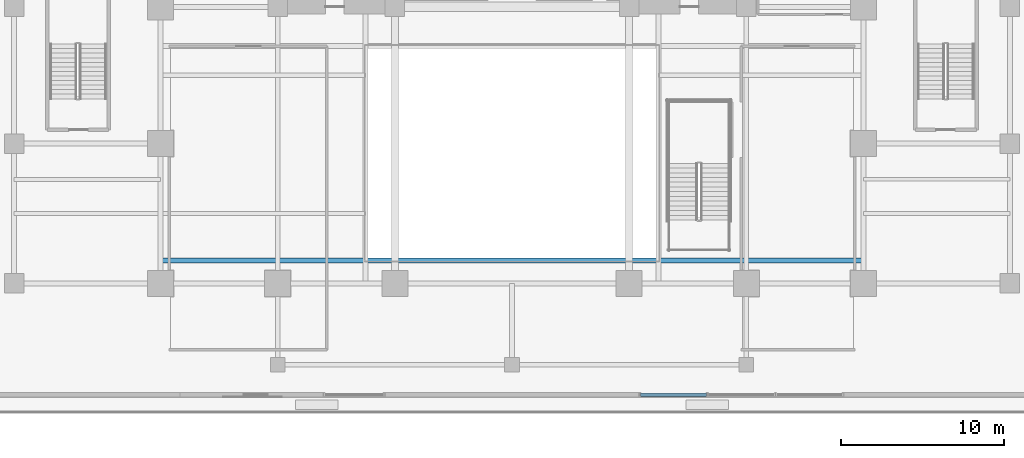
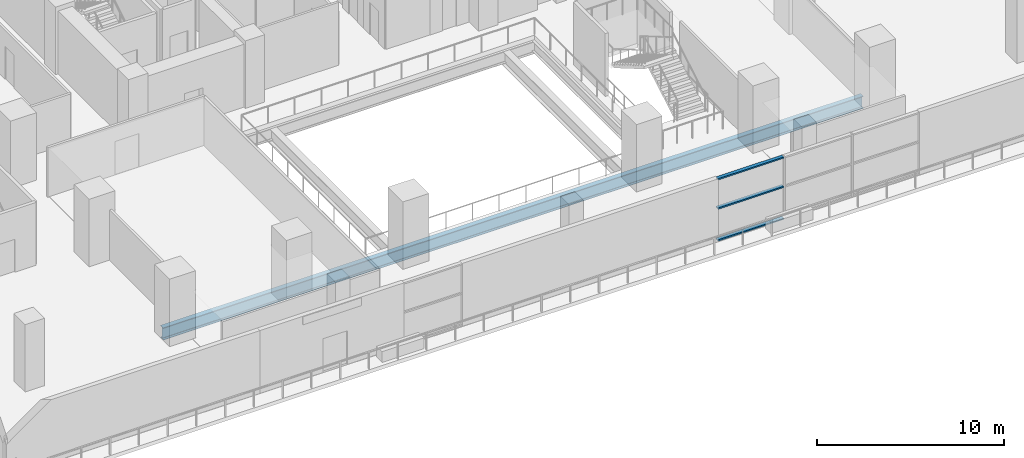
# One storey, part 5 of 21: 3 members, 1 beam, 1 element without a shape of its own.
"""IFC4 building model written with IfcOpenShell, lengths in metres."""

import ifcopenshell
import ifcopenshell.guid

model = None  # the IFC model being written
_history = None  # IfcOwnerHistory: only IFC2X3 demands one
_inside = {}  # id of a spatial element -> (the spatial element, [elements in it])
_under = {}  # id of a project, library or spatial element -> (it, [spatial elements below it])
_declared = {}  # id of a project -> (the project, [libraries it declares])
_typed = {}  # id of a type object -> (the type object, [elements of that type])
_made_of = {}  # id of a material, layer set ... -> (it, [elements and type objects made of it])


def new_model(schema):
    """Start an empty IFC model of exactly this schema.

    Asked for "IFC4X3", IfcOpenShell would pick the latest addendum, in which some entities
    have other attributes; the version numbers below select the first issue.
    IFC2X3 requires an IfcOwnerHistory on every rooted entity: one is made here for all.
    """
    global model, _history
    if schema == "IFC4X3":
        model = ifcopenshell.file(schema_version=(4, 3, 0, 0))
    else:
        model = ifcopenshell.file(schema=schema)
    _inside.clear()
    _under.clear()
    _declared.clear()
    _typed.clear()
    _made_of.clear()
    _history = None
    if model.schema == "IFC2X3":
        org = make("IfcOrganization", Name="unknown")
        user = make(
            "IfcPersonAndOrganization",
            ThePerson=make("IfcPerson", FamilyName="unknown"),
            TheOrganization=org,
        )
        app = make(
            "IfcApplication",
            ApplicationDeveloper=org,
            Version="unknown",
            ApplicationFullName="unknown",
            ApplicationIdentifier="unknown",
        )
        _history = make(
            "IfcOwnerHistory",
            OwningUser=user,
            OwningApplication=app,
            ChangeAction="ADDED",
            CreationDate=0,
        )
    return model


def make(cls, **values):
    """One entity of the class cls with the attributes given. An attribute that is None is left unset."""
    return model.create_entity(
        cls, **{name: value for name, value in values.items() if value is not None}
    )


def rooted(cls, **values):
    """An entity with a GlobalId (a new one), such as an element, a storey or a relation."""
    return make(cls, GlobalId=ifcopenshell.guid.new(), OwnerHistory=_history, **values)


def si_unit(unit_type, name, prefix=None):
    """IfcSIUnit, for example si_unit("LENGTHUNIT", "METRE", prefix="MILLI")."""
    return make("IfcSIUnit", UnitType=unit_type, Prefix=prefix, Name=name)


def assignment(units):
    """IfcUnitAssignment: the units of a project."""
    return None if units is None else make("IfcUnitAssignment", Units=units)


def point(xyz):
    """IfcCartesianPoint."""
    return None if xyz is None else make("IfcCartesianPoint", Coordinates=xyz)


def direction(xyz):
    """IfcDirection."""
    return None if xyz is None else make("IfcDirection", DirectionRatios=xyz)


def frame(location, z_axis=None, x_axis=None):
    """IfcAxis2Placement3D, a coordinate frame: its origin and axes. An axis left out is left unset."""
    return make(
        "IfcAxis2Placement3D",
        Location=point(location),
        Axis=direction(z_axis),
        RefDirection=direction(x_axis),
    )


def frame_2d(location, x_axis=None):
    """IfcAxis2Placement2D, a coordinate frame in the plane: its origin and x axis."""
    return make(
        "IfcAxis2Placement2D", Location=point(location), RefDirection=direction(x_axis)
    )


def origin():
    """The frame at (0, 0, 0) with its axes left unset."""
    return frame((0.0, 0.0, 0.0))


def origin_2d():
    """The frame at (0, 0) in the plane with its x axis left unset."""
    return frame_2d((0.0, 0.0))


def place(relative_to, where):
    """IfcLocalPlacement: puts the frame where relative to a parent placement (None: the world)."""
    return make(
        "IfcLocalPlacement", PlacementRelTo=relative_to, RelativePlacement=where
    )


def context(
    kind, dimensions, precision=None, world=None, true_north=None, identifier=None
):
    """IfcGeometricRepresentationContext, for example the 3D "Model" context."""
    return make(
        "IfcGeometricRepresentationContext",
        ContextIdentifier=identifier,
        ContextType=kind,
        CoordinateSpaceDimension=dimensions,
        Precision=precision,
        WorldCoordinateSystem=world,
        TrueNorth=true_north,
    )


def subcontext(parent, identifier, kind, view, scale=None):
    """IfcGeometricRepresentationSubContext, for example "Body" below "Model"."""
    return make(
        "IfcGeometricRepresentationSubContext",
        ContextIdentifier=identifier,
        ContextType=kind,
        ParentContext=parent,
        TargetScale=scale,
        TargetView=view,
    )


def project(units=None, contexts=None):
    """IfcProject with its units and contexts."""
    return rooted(
        "IfcProject",
        Name="project",
        RepresentationContexts=contexts,
        UnitsInContext=assignment(units),
    )


def spatial(cls, under=None, at=None, **own):
    """A site, building, storey or space (cls), placed at a placement, below another one or the project."""
    s = rooted(cls, ObjectPlacement=at, **own)
    if under is not None:
        _under.setdefault(under.id(), (under, []))[1].append(s)
    return s


def profile(cls, at=None, kind="AREA", **sizes):
    """A parametric profile (cls). Its sizes go by their IFC names, for example OverallWidth=200.0."""
    return make(cls, ProfileType=kind, Position=at, **sizes)


def hollow_rectangle(**sizes):
    """IfcRectangleHollowProfileDef."""
    return profile("IfcRectangleHollowProfileDef", **sizes)


def i_section(**sizes):
    """IfcIShapeProfileDef."""
    return profile("IfcIShapeProfileDef", **sizes)


def extrude(swept, where, along, depth):
    """IfcExtrudedAreaSolid: the profile swept, set in the frame where, extruded along a direction by depth."""
    return make(
        "IfcExtrudedAreaSolid",
        SweptArea=swept,
        Position=where,
        ExtrudedDirection=direction(along),
        Depth=depth,
    )


def shape(context_of_items, identifier, shape_type, items):
    """IfcShapeRepresentation: the items that make up one representation, for example the "Body"."""
    return make(
        "IfcShapeRepresentation",
        ContextOfItems=context_of_items,
        RepresentationIdentifier=identifier,
        RepresentationType=shape_type,
        Items=items,
    )


def source(mapping_origin, context_of_items, identifier, shape_type, items):
    """IfcRepresentationMap: a shape defined once, which mapped items show again and again."""
    return make(
        "IfcRepresentationMap",
        MappingOrigin=mapping_origin,
        MappedRepresentation=shape(context_of_items, identifier, shape_type, items),
    )


def transform(
    local_origin,
    x_axis=None,
    y_axis=None,
    z_axis=None,
    scale=None,
    scale2=None,
    scale3=None,
    uniform=True,
):
    """IfcCartesianTransformationOperator3D, or its non-uniform kind. x_axis, y_axis, z_axis: its Axis1, 2, 3."""
    if uniform:
        return make(
            "IfcCartesianTransformationOperator3D",
            Axis1=direction(x_axis),
            Axis2=direction(y_axis),
            LocalOrigin=point(local_origin),
            Scale=scale,
            Axis3=direction(z_axis),
        )
    return make(
        "IfcCartesianTransformationOperator3DnonUniform",
        Axis1=direction(x_axis),
        Axis2=direction(y_axis),
        LocalOrigin=point(local_origin),
        Scale=scale,
        Axis3=direction(z_axis),
        Scale2=scale2,
        Scale3=scale3,
    )


def mapped(mapping_source, mapping_target):
    """IfcMappedItem: shows the shape of a source again, moved by a transform."""
    return make(
        "IfcMappedItem", MappingSource=mapping_source, MappingTarget=mapping_target
    )


def material(Name=None, Category=None):
    """IfcMaterial."""
    return make("IfcMaterial", Name=Name, Category=Category)


def layer(
    of_material, thickness, ventilated=None, Name=None, Category=None, Priority=None
):
    """IfcMaterialLayer: one layer of a wall or slab, of a material (None: an air gap)."""
    return make(
        "IfcMaterialLayer",
        Material=of_material,
        LayerThickness=thickness,
        IsVentilated=ventilated,
        Name=Name,
        Category=Category,
        Priority=Priority,
    )


def layer_set(layers, Name=None):
    """IfcMaterialLayerSet."""
    return make("IfcMaterialLayerSet", MaterialLayers=layers, LayerSetName=Name)


def material_profile(
    of_material, cross_section, Name=None, Category=None, Priority=None
):
    """IfcMaterialProfile: a cross section and its material."""
    return make(
        "IfcMaterialProfile",
        Name=Name,
        Material=of_material,
        Profile=cross_section,
        Priority=Priority,
        Category=Category,
    )


def profile_set(profiles, Name=None, composite=None):
    """IfcMaterialProfileSet."""
    return make(
        "IfcMaterialProfileSet",
        Name=Name,
        MaterialProfiles=profiles,
        CompositeProfile=composite,
    )


def made_of(thing, what):
    """Note that an element or type object is made of a material, layer set ...; save() writes the relation."""
    if what is not None:
        _made_of.setdefault(what.id(), (what, []))[1].append(thing)
    return thing


def type_object(cls, material=None, **own):
    """A type object (cls), such as IfcWallType, which elements share."""
    return made_of(rooted(cls, **own), material)


def element(
    cls,
    number,
    at=None,
    inside=None,
    cuts=None,
    type_object=None,
    material=None,
    context=None,
    identifier="Body",
    shape_type=None,
    held_by="IfcProductDefinitionShape",
    body=None,
    shapes=None,
    **own,
):
    """One element of the class cls, such as IfcWall. Its Tag is "e" and its number.

    at: its placement. inside: the storey or other place that contains it. cuts: it is an
    opening in that element (IfcRelVoidsElement). A single representation is given by context,
    identifier, shape_type and body (its items); several are given by shapes. held_by: the class
    of the entity that holds the representations. save() writes the other relations.
    """
    e = rooted(cls, Tag="e%d" % number, ObjectPlacement=at, **own)
    if body is not None:
        shapes = [shape(context, identifier, shape_type, body)]
    if shapes is not None:
        e.Representation = make(held_by, Representations=shapes)
    if inside is not None:
        _inside.setdefault(inside.id(), (inside, []))[1].append(e)
    if cuts is not None:
        rooted(
            "IfcRelVoidsElement", RelatingBuildingElement=cuts, RelatedOpeningElement=e
        )
    if type_object is not None:
        _typed.setdefault(type_object.id(), (type_object, []))[1].append(e)
    return made_of(e, material)


def aggregate(whole, parts):
    """IfcRelAggregates: a whole, such as a stair, and the parts it consists of."""
    return rooted("IfcRelAggregates", RelatingObject=whole, RelatedObjects=parts)


def save(model, path):
    """Write the relations noted so far, then the file.

    IfcRelAggregates (storeys below a building ...), IfcRelContainedInSpatialStructure (elements
    in a storey), IfcRelDefinesByType, IfcRelAssociatesMaterial and IfcRelDeclares: one each for
    every whole, place, type object, material and project.
    """
    for whole, parts in _under.values():
        aggregate(whole, parts)
    for where, things in _inside.values():
        rooted(
            "IfcRelContainedInSpatialStructure",
            RelatedElements=things,
            RelatingStructure=where,
        )
    for kind, things in _typed.values():
        rooted("IfcRelDefinesByType", RelatedObjects=things, RelatingType=kind)
    for what, things in _made_of.values():
        rooted("IfcRelAssociatesMaterial", RelatedObjects=things, RelatingMaterial=what)
    for by, libraries in _declared.values():
        rooted("IfcRelDeclares", RelatingContext=by, RelatedDefinitions=libraries)
    model.write(path)


model = new_model("IFC4")

# Units and contexts
model_context = context("Model", 3, precision=1e-05, world=origin(), true_north=direction((0.0, 1.0)))
body_context = subcontext(model_context, "Body", "Model", "MODEL_VIEW")
ifc_project = project(units=[si_unit("LENGTHUNIT", "METRE"), si_unit("AREAUNIT", "SQUARE_METRE"), si_unit("VOLUMEUNIT", "CUBIC_METRE"), si_unit("PLANEANGLEUNIT", "RADIAN"), si_unit("MASSUNIT", "GRAM", prefix="KILO")], contexts=[model_context])

# Site, building, storey
site_placement = place(None, origin())
site = spatial("IfcSite", under=ifc_project, at=site_placement, CompositionType="ELEMENT")
building_placement = place(site_placement, origin())
building = spatial("IfcBuilding", under=site, at=building_placement, Name="Zarnakvel Exchange Tower", CompositionType="ELEMENT")
storey_placement = place(building_placement, frame((0.0, 0.0, 5.0)))
storey = spatial("IfcBuildingStorey", under=building, at=storey_placement, Name="L01", CompositionType="ELEMENT", Elevation=5.0)

# Beam
ifc_material_1 = material(Name="Steel S355", Category="steel")
ifc_material_profile_1 = material_profile(ifc_material_1, i_section(OverallWidth=0.300048828125, OverallDepth=0.800048828125, WebThickness=0.017578125, FlangeThickness=0.032958984375, FilletRadius=0.030029296875, at=origin_2d()))
ifc_profile_set_1 = profile_set([ifc_material_profile_1], Name="Steel S355")
beam_type = type_object("IfcBeamType", Name="G-02", PredefinedType="BEAM", material=ifc_profile_set_1)
beam_placement = place(storey_placement, frame((-21.60009765625, -16.800048828125, -0.699951171875), z_axis=(1.0, 0.0, 0.0), x_axis=(0.0, 1.0, 0.0)))
element("IfcBeam", 1, at=beam_placement, inside=storey, type_object=beam_type, Name="L01 Atrium South Edge Trimmer Girder", PredefinedType="BEAM", context=body_context, shape_type="SweptSolid", body=[
    extrude(i_section(OverallWidth=0.300048828125, OverallDepth=0.800048828125, WebThickness=0.017578125, FlangeThickness=0.032958984375, FilletRadius=0.030029296875, at=origin_2d()), origin(), (0.0, 0.0, 1.0), 43.2001953125),
])

# Curtain wall, members
ifc_material_2 = material(Name="Architectural Bronze Anodised Aluminium", Category="aluminium")
ifc_layer = layer(ifc_material_2, 0.260009765625)
ifc_layer_set = layer_set([ifc_layer], Name="Architectural Bronze Anodised Aluminium")
curtain_wall_type = type_object("IfcCurtainWallType", Name="CW-01", PredefinedType="NOTDEFINED", material=ifc_layer_set)
curtain_wall_placement = place(storey_placement, origin())
curtain_wall = element("IfcCurtainWall", 2, at=curtain_wall_placement, inside=storey, type_object=curtain_wall_type, Name="L01 Curtain Wall CW-L01-S2 (CW-01)", PredefinedType="NOTDEFINED")
ifc_material_profile_2 = material_profile(ifc_material_2, hollow_rectangle(XDim=0.219970703125, YDim=0.090087890625, WallThickness=0.0048828125, at=origin_2d()))
ifc_profile_set_2 = profile_set([ifc_material_profile_2], Name="Architectural Bronze Anodised Aluminium")
member_type = type_object("IfcMemberType", Name="CWT-01", PredefinedType="USERDEFINED", material=ifc_profile_set_2)
shared_shape = source(origin(), body_context, "Body", "SweptSolid", [
    extrude(hollow_rectangle(XDim=0.219970703125, YDim=0.090087890625, WallThickness=0.0048828125, at=origin_2d()), origin(), (0.0, 0.0, 1.0), 4.050048828125),
])
member_1_placement = place(storey_placement, frame((7.89990234375, -25.0400390625, 0.044921875), z_axis=(1.0, 0.0, 0.0), x_axis=(0.0, 1.0, 0.0)))
member_1 = element("IfcMember", 3, at=member_1_placement, type_object=member_type, Name="CW-01 transom 1.1", ObjectType="TRANSOM", PredefinedType="USERDEFINED", context=body_context, shape_type="MappedRepresentation", body=[
    mapped(shared_shape, transform((0.0, 0.0, 0.0), x_axis=(1.0, 0.0, 0.0), y_axis=(0.0, 1.0, 0.0), z_axis=(0.0, 0.0, 1.0), scale=1.0)),
])
member_2_placement = place(storey_placement, frame((7.89990234375, -25.0400390625, 2.12158203125), z_axis=(1.0, 0.0, 0.0), x_axis=(0.0, 1.0, 0.0)))
member_2 = element("IfcMember", 4, at=member_2_placement, type_object=member_type, Name="CW-01 transom 1.2", ObjectType="TRANSOM", PredefinedType="USERDEFINED", context=body_context, shape_type="MappedRepresentation", body=[
    mapped(shared_shape, transform((0.0, 0.0, 0.0), x_axis=(1.0, 0.0, 0.0), y_axis=(0.0, 1.0, 0.0), z_axis=(0.0, 0.0, 1.0), scale=1.0)),
])
member_3_placement = place(storey_placement, frame((7.89990234375, -25.0400390625, 4.034912109375), z_axis=(1.0, 0.0, 0.0), x_axis=(0.0, 1.0, 0.0)))
member_3 = element("IfcMember", 5, at=member_3_placement, type_object=member_type, Name="CW-01 transom 1.3", ObjectType="TRANSOM", PredefinedType="USERDEFINED", context=body_context, shape_type="MappedRepresentation", body=[
    mapped(shared_shape, transform((0.0, 0.0, 0.0), x_axis=(1.0, 0.0, 0.0), y_axis=(0.0, 1.0, 0.0), z_axis=(0.0, 0.0, 1.0), scale=1.0)),
])
aggregate(curtain_wall, [member_1, member_2, member_3])

save(model, "model.ifc")
